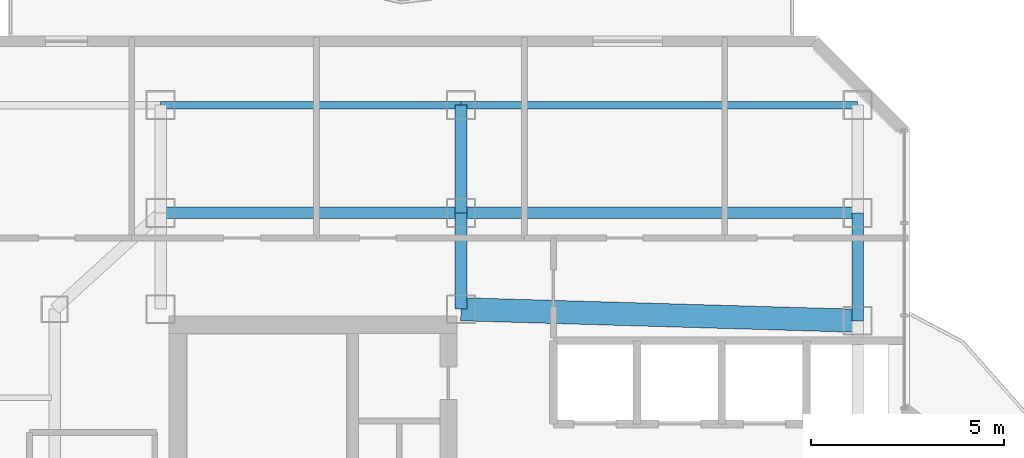
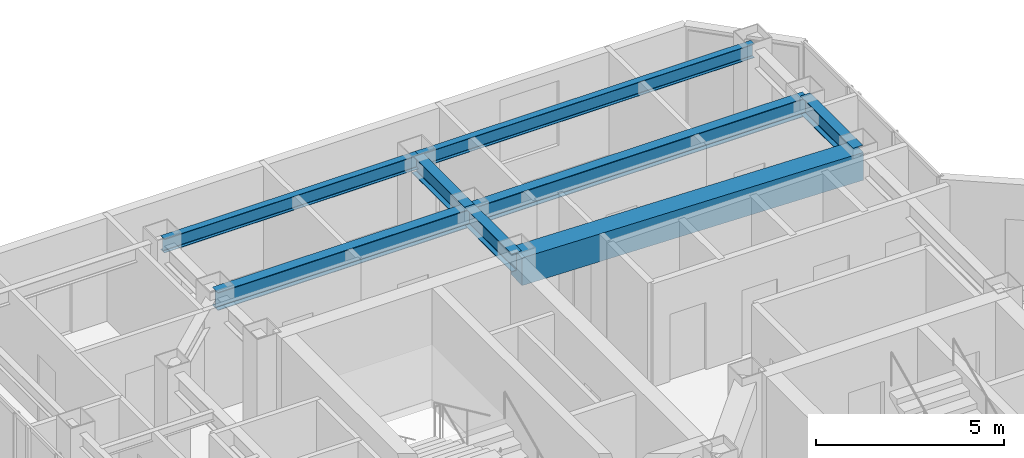
# One storey, part 16 of 26: 8 beams.
"""IFC4 building model written with IfcOpenShell, lengths in metres."""

from ifc_helpers import new_model, si_unit, direction, frame, origin, origin_2d, place, context, subcontext, project, spatial, rectangle, i_section, extrude, material, material_profile, profile_set, type_object, element, save


model = new_model("IFC4")

# Units and contexts
model_context = context("Model", 3, precision=1e-05, world=origin(), true_north=direction((0.0, 1.0)))
body_context = subcontext(model_context, "Body", "Model", "MODEL_VIEW")
ifc_project = project(units=[si_unit("LENGTHUNIT", "METRE"), si_unit("AREAUNIT", "SQUARE_METRE"), si_unit("VOLUMEUNIT", "CUBIC_METRE"), si_unit("PLANEANGLEUNIT", "RADIAN"), si_unit("MASSUNIT", "GRAM", prefix="KILO")], contexts=[model_context])

# Site, building, storey
site_placement = place(None, origin())
site = spatial("IfcSite", under=ifc_project, at=site_placement, CompositionType="ELEMENT")
building_placement = place(site_placement, origin())
building = spatial("IfcBuilding", under=site, at=building_placement, Name="Hatsunagi Terrace Concourse", CompositionType="ELEMENT")
storey_placement = place(building_placement, frame((0.0, 0.0, 209.550048828125)))
storey = spatial("IfcBuildingStorey", under=building, at=storey_placement, Name="L55", CompositionType="ELEMENT", Elevation=209.550048828125)

# Beams
ifc_material_1 = material(Name="Concrete Fc42", Category="concrete")
ifc_material_profile_1 = material_profile(ifc_material_1, rectangle(XDim=0.60009765625, YDim=0.89990234375, at=origin_2d()), Name="RC-600x900")
ifc_profile_set_1 = profile_set([ifc_material_profile_1], Name="Concrete Fc42")
beam_type_1 = type_object("IfcBeamType", Name="CoreCouplingBeam_RC_600x900", PredefinedType="BEAM", material=ifc_profile_set_1)
beam_1_placement = place(storey_placement, frame((33.35009765625, 43.300048828125, 2.89990234375), z_axis=(0.999575947545, -0.029119153303, 0.0), x_axis=(0.029119153303, 0.999575947545, 0.0)))
element("IfcBeam", 1, at=beam_1_placement, inside=storey, type_object=beam_type_1, Name="Beam CB-03 CB-L55-2", PredefinedType="BEAM", context=body_context, shape_type="SweptSolid", body=[
    extrude(rectangle(XDim=0.60009765625, YDim=0.89990234375, at=origin_2d()), origin(), (0.0, 0.0, 1.0), 10.30419921875),
])
ifc_material_2 = material(Name="Steel SN490B", Category="steel")
ifc_material_profile_2 = material_profile(ifc_material_2, i_section(OverallWidth=0.300048828125, OverallDepth=0.587890625, WebThickness=0.011962890625, FlangeThickness=0.02001953125, FilletRadius=0.01806640625, at=origin_2d()), Name="H-588x300x12x20")
ifc_profile_set_2 = profile_set([ifc_material_profile_2], Name="Steel SN490B")
beam_type_2 = type_object("IfcBeamType", Name="OfficeHighGirder_H_588x300", PredefinedType="BEAM", material=ifc_profile_set_2)
beam_2_placement = place(storey_placement, frame((33.35009765625, 43.300048828125, 3.055908203125), z_axis=(0.0, 1.0, 0.0), x_axis=(-1.0, 0.0, 0.0)))
element("IfcBeam", 2, at=beam_2_placement, inside=storey, type_object=beam_type_2, Name="Beam G-06 BM-L55-CN2", PredefinedType="BEAM", context=body_context, shape_type="SweptSolid", body=[
    extrude(i_section(OverallWidth=0.300048828125, OverallDepth=0.587890625, WebThickness=0.011962890625, FlangeThickness=0.02001953125, FilletRadius=0.01806640625, at=origin_2d()), origin(), (0.0, 0.0, 1.0), 2.5),
])
beam_3_placement = place(storey_placement, frame((43.64990234375, 43.0, 3.055908203125), z_axis=(0.0, 1.0, 0.0), x_axis=(-1.0, 0.0, 0.0)))
element("IfcBeam", 3, at=beam_3_placement, inside=storey, type_object=beam_type_2, Name="Beam G-06 BM-L55-CN3", PredefinedType="BEAM", context=body_context, shape_type="SweptSolid", body=[
    extrude(i_section(OverallWidth=0.300048828125, OverallDepth=0.587890625, WebThickness=0.011962890625, FlangeThickness=0.02001953125, FilletRadius=0.01806640625, at=origin_2d()), origin(), (0.0, 0.0, 1.0), 2.800048828125),
])
beam_4_placement = place(storey_placement, frame((25.550048828125, 45.800048828125, 3.055908203125), z_axis=(1.0, 0.0, 0.0), x_axis=(0.0, 1.0, 0.0)))
element("IfcBeam", 4, at=beam_4_placement, inside=storey, type_object=beam_type_2, Name="Beam G-06 BM-L55-CNEW1", PredefinedType="BEAM", context=body_context, shape_type="SweptSolid", body=[
    extrude(i_section(OverallWidth=0.300048828125, OverallDepth=0.587890625, WebThickness=0.011962890625, FlangeThickness=0.02001953125, FilletRadius=0.01806640625, at=origin_2d()), origin(), (0.0, 0.0, 1.0), 7.800048828125),
])
beam_5_placement = place(storey_placement, frame((33.35009765625, 45.800048828125, 3.055908203125), z_axis=(1.0, 0.0, 0.0), x_axis=(0.0, 1.0, 0.0)))
element("IfcBeam", 5, at=beam_5_placement, inside=storey, type_object=beam_type_2, Name="Beam G-06 BM-L55-CNEW2", PredefinedType="BEAM", context=body_context, shape_type="SweptSolid", body=[
    extrude(i_section(OverallWidth=0.300048828125, OverallDepth=0.587890625, WebThickness=0.011962890625, FlangeThickness=0.02001953125, FilletRadius=0.01806640625, at=origin_2d()), origin(), (0.0, 0.0, 1.0), 10.2998046875),
])
beam_6_placement = place(storey_placement, frame((33.35009765625, 45.800048828125, 3.055908203125), z_axis=(0.0, 1.0, 0.0), x_axis=(-1.0, 0.0, 0.0)))
element("IfcBeam", 6, at=beam_6_placement, inside=storey, type_object=beam_type_2, Name="Beam G-06 BM-L55-KN-WN5", PredefinedType="BEAM", context=body_context, shape_type="SweptSolid", body=[
    extrude(i_section(OverallWidth=0.300048828125, OverallDepth=0.587890625, WebThickness=0.011962890625, FlangeThickness=0.02001953125, FilletRadius=0.01806640625, at=origin_2d()), origin(), (0.0, 0.0, 1.0), 2.800048828125),
])
ifc_material_3 = material(Name="Steel SN490B", Category="steel")
ifc_material_profile_3 = material_profile(ifc_material_3, i_section(OverallWidth=0.199951171875, OverallDepth=0.449951171875, WebThickness=0.009033203125, FlangeThickness=0.013916015625, FilletRadius=0.01611328125, at=origin_2d()), Name="H-450x200x9x14")
ifc_profile_set_3 = profile_set([ifc_material_profile_3], Name="Steel SN490B")
beam_type_3 = type_object("IfcBeamType", Name="PerimeterSpandrel_H_450x200", PredefinedType="SPANDREL", material=ifc_profile_set_3)
beam_7_placement = place(storey_placement, frame((25.550048828125, 48.60009765625, 3.125), z_axis=(1.0, 0.0, 0.0), x_axis=(0.0, 1.0, 0.0)))
element("IfcBeam", 7, at=beam_7_placement, inside=storey, type_object=beam_type_3, Name="Beam SP-02 BM-L55-WN-25", PredefinedType="SPANDREL", context=body_context, shape_type="SweptSolid", body=[
    extrude(i_section(OverallWidth=0.199951171875, OverallDepth=0.449951171875, WebThickness=0.009033203125, FlangeThickness=0.013916015625, FilletRadius=0.01611328125, at=origin_2d()), origin(), (0.0, 0.0, 1.0), 7.800048828125),
])
beam_8_placement = place(storey_placement, frame((33.35009765625, 48.60009765625, 3.125), z_axis=(1.0, 0.0, 0.0), x_axis=(0.0, 1.0, 0.0)))
element("IfcBeam", 8, at=beam_8_placement, inside=storey, type_object=beam_type_3, Name="Beam SP-02 BM-L55-WN-33", PredefinedType="SPANDREL", context=body_context, shape_type="SweptSolid", body=[
    extrude(i_section(OverallWidth=0.199951171875, OverallDepth=0.449951171875, WebThickness=0.009033203125, FlangeThickness=0.013916015625, FilletRadius=0.01611328125, at=origin_2d()), origin(), (0.0, 0.0, 1.0), 10.2998046875),
])

save(model, "model.ifc")
